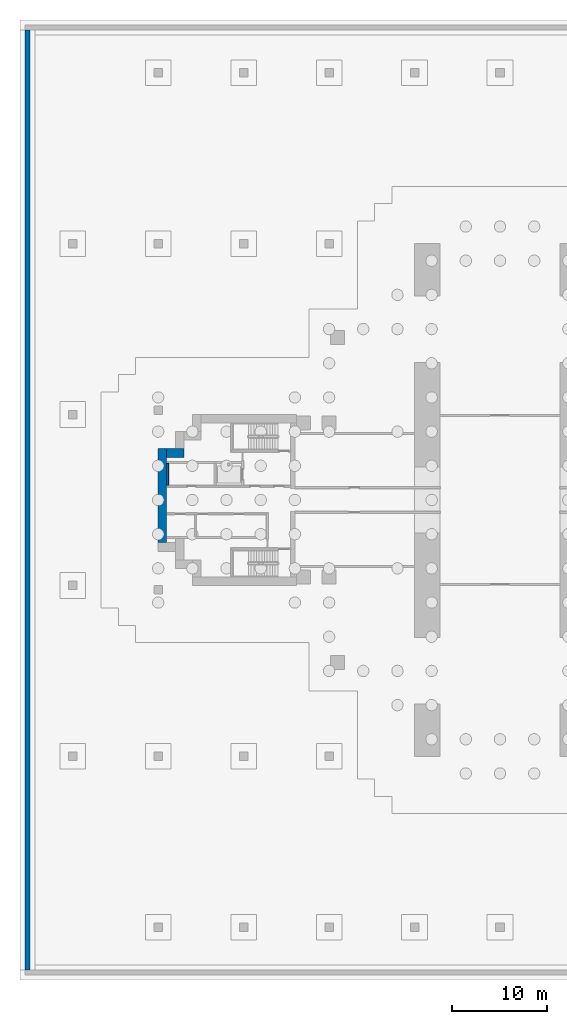
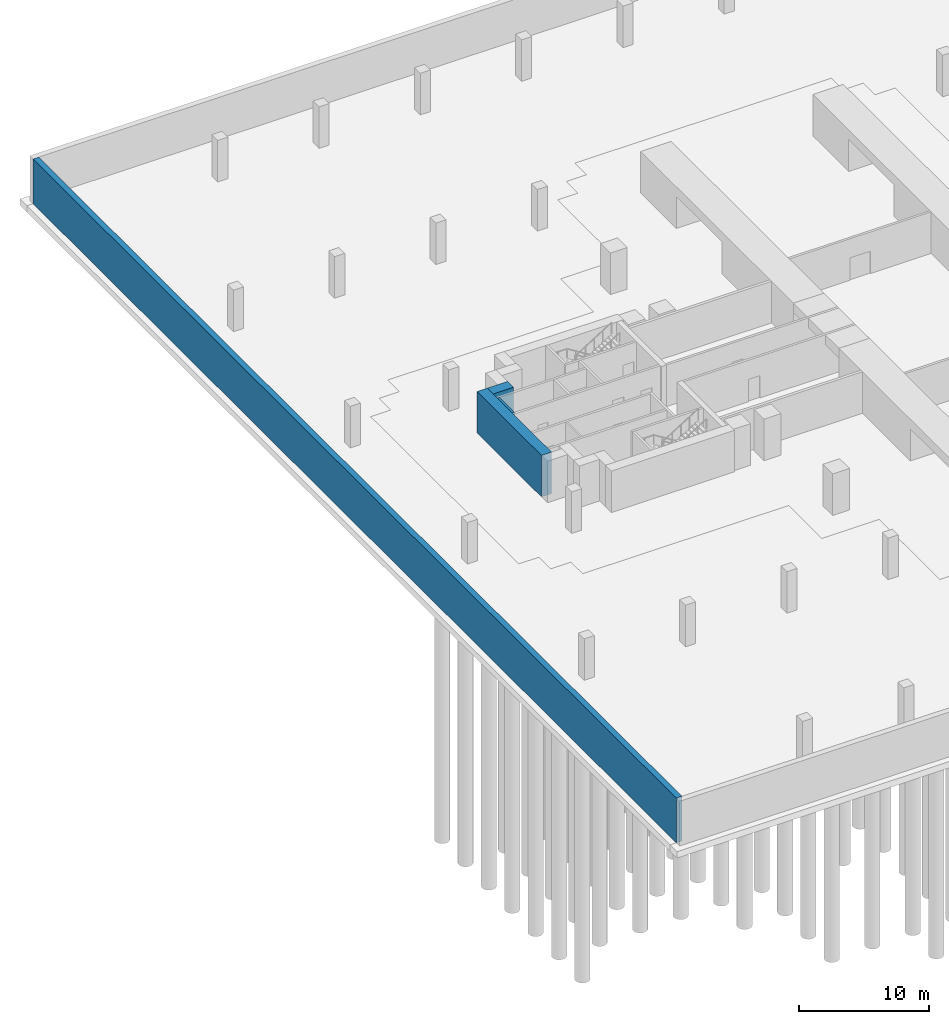
# One storey, part 4 of 11: 4 walls.
"""IFC4 building model written with IfcOpenShell, lengths in metres."""

from ifc_helpers import new_model, si_unit, direction, frame, frame_2d, origin, place, context, subcontext, project, spatial, rectangle, extrude, material, layer, layer_set, type_object, element, save


model = new_model("IFC4")

# Units and contexts
model_context = context("Model", 3, precision=1e-05, world=origin(), true_north=direction((0.0, 1.0)))
body_context = subcontext(model_context, "Body", "Model", "MODEL_VIEW")
ifc_project = project(units=[si_unit("LENGTHUNIT", "METRE"), si_unit("AREAUNIT", "SQUARE_METRE"), si_unit("VOLUMEUNIT", "CUBIC_METRE"), si_unit("PLANEANGLEUNIT", "RADIAN"), si_unit("MASSUNIT", "GRAM", prefix="KILO")], contexts=[model_context])

# Site, building, storey
site_placement = place(None, origin())
site = spatial("IfcSite", under=ifc_project, at=site_placement, CompositionType="ELEMENT")
building_placement = place(site_placement, origin())
building = spatial("IfcBuilding", under=site, at=building_placement, Name="Perihelion Cross Residences", CompositionType="ELEMENT")
storey_placement = place(building_placement, frame((0.0, 0.0, -17.10009765625)))
storey = spatial("IfcBuildingStorey", under=building, at=storey_placement, Name="B4", CompositionType="ELEMENT", Elevation=-17.10009765625)

# Walls
ifc_material_1 = material(Name="Concrete C40/50", Category="concrete")
ifc_layer_1 = layer(ifc_material_1, 0.5)
ifc_layer_set_1 = layer_set([ifc_layer_1], Name="Basement retaining wall 500 concrete C40/50")
wall_type_1 = type_object("IfcWallType", Name="Basement retaining wall 500 concrete C40/50", PredefinedType="SOLIDWALL", material=ifc_layer_set_1)
wall_1_placement = place(storey_placement, frame((-49.75, -49.5, -0.2998046875), z_axis=(0.0, 0.0, 1.0), x_axis=(0.0, 1.0, 0.0)))
element("IfcWall", 1, at=wall_1_placement, inside=storey, type_object=wall_type_1, Name="Wall SW1 B4 retaining west", PredefinedType="SOLIDWALL", context=body_context, shape_type="SweptSolid", body=[
    extrude(rectangle(XDim=99.0, YDim=0.5, at=frame_2d((49.5, 0.0))), origin(), (0.0, 0.0, 1.0), 4.199951171875),
])
ifc_material_2 = material(Name="Concrete C60/75", Category="concrete")
ifc_layer_2 = layer(ifc_material_2, 0.89990234375)
ifc_layer_set_2 = layer_set([ifc_layer_2], Name="Core wall, outer 900")
wall_type_2 = type_object("IfcWallType", Name="Core wall, outer 900", PredefinedType="SHEAR", material=ifc_layer_set_2)
wall_2_placement = place(storey_placement, frame((-35.550048828125, -4.5, 0.0), z_axis=(0.0, 0.0, 1.0), x_axis=(0.0, 1.0, 0.0)))
element("IfcWall", 2, at=wall_2_placement, inside=storey, type_object=wall_type_2, Name="West core core wall, outer", PredefinedType="SHEAR", context=body_context, shape_type="SweptSolid", body=[
    extrude(rectangle(XDim=9.89990234375, YDim=0.89990234375, at=frame_2d((4.949951171875, 0.0))), origin(), (0.0, 0.0, 1.0), 3.900146484375),
])
wall_3_placement = place(storey_placement, frame((-35.10009765625, 4.949951171875, 0.0), z_axis=(0.0, 0.0, 1.0), x_axis=(1.0, 0.0, 0.0)))
element("IfcWall", 3, at=wall_3_placement, inside=storey, type_object=wall_type_2, Name="West core core wall, outer", PredefinedType="SHEAR", context=body_context, shape_type="SweptSolid", body=[
    extrude(rectangle(XDim=1.800048828125, YDim=0.89990234375, at=frame_2d((0.89990234375, 0.0))), origin(), (0.0, 0.0, 1.0), 3.900146484375),
])
ifc_material_3 = material(Name="Concrete C50/60", Category="concrete")
ifc_layer_3 = layer(ifc_material_3, 0.199951171875)
ifc_layer_set_3 = layer_set([ifc_layer_3], Name="Shaft wall 200")
wall_type_3 = type_object("IfcWallType", Name="Shaft wall 200", PredefinedType="SOLIDWALL", material=ifc_layer_set_3)
wall_4_placement = place(storey_placement, frame((-35.0, 1.550048828125, 0.0), z_axis=(0.0, 0.0, 1.0), x_axis=(0.0, 1.0, 0.0)))
element("IfcWall", 4, at=wall_4_placement, inside=storey, type_object=wall_type_3, Name="West core shaft wall", PredefinedType="SOLIDWALL", context=body_context, shape_type="SweptSolid", body=[
    extrude(rectangle(XDim=2.300048828125, YDim=0.199951171875, at=frame_2d((1.14990234375, 0.0))), origin(), (0.0, 0.0, 1.0), 3.900146484375),
])

save(model, "model.ifc")
